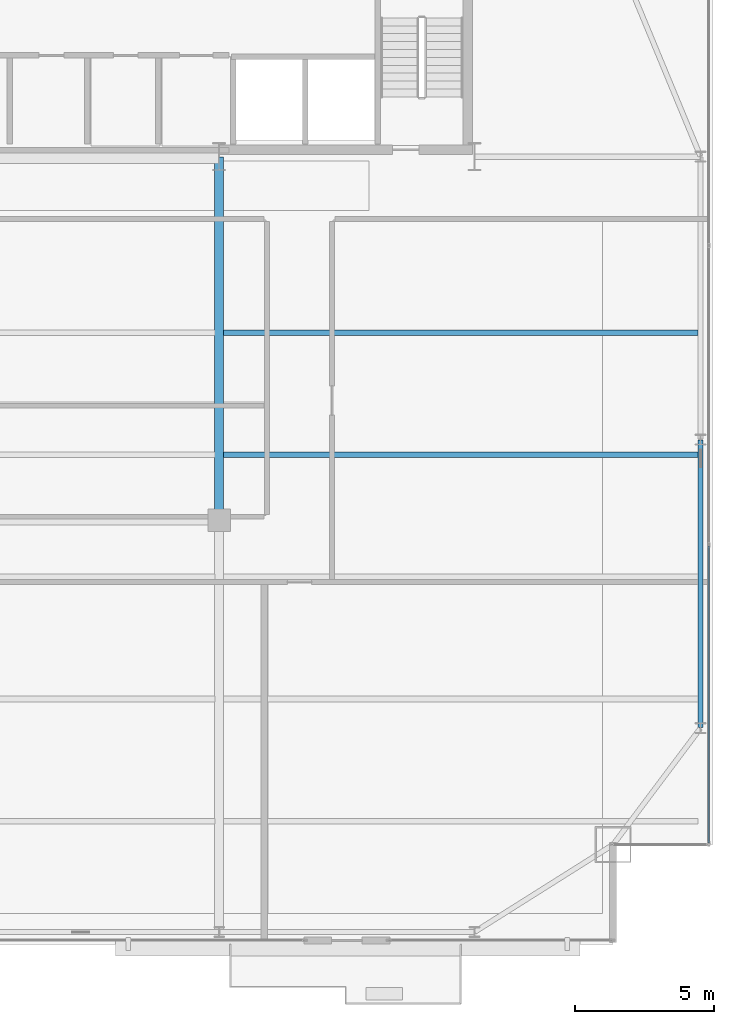
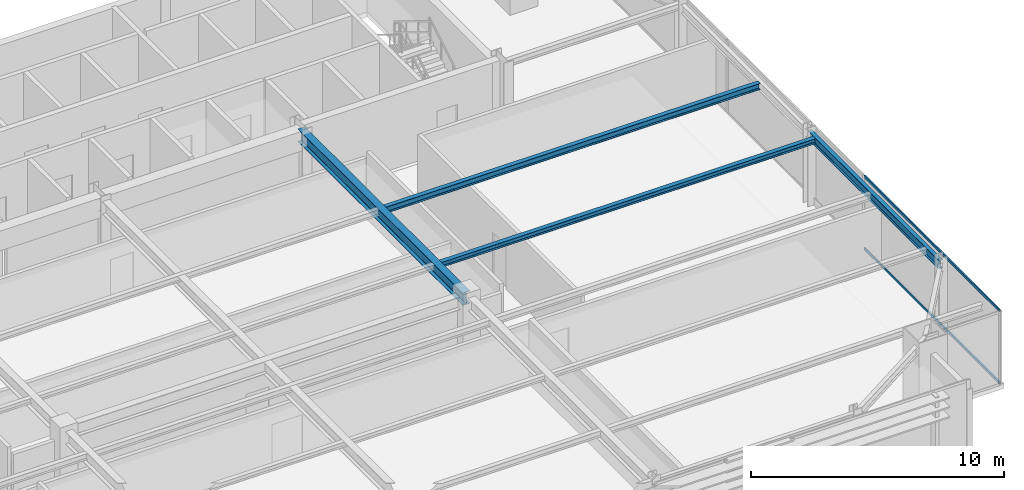
# One storey, part 17 of 31: 4 beams, 2 members, 1 element without a shape of its own.
"""IFC4 building model written with IfcOpenShell, lengths in metres."""

from ifc_helpers import new_model, si_unit, direction, frame, origin, origin_2d, place, context, subcontext, project, spatial, hollow_rectangle, i_section, extrude, source, transform, mapped, material, layer, layer_set, material_profile, profile_set, type_object, type_shapes, element, aggregate, save


model = new_model("IFC4")

# Units and contexts
model_context = context("Model", 3, precision=1e-05, world=origin(), true_north=direction((0.0, 1.0)))
body_context = subcontext(model_context, "Body", "Model", "MODEL_VIEW")
ifc_project = project(units=[si_unit("LENGTHUNIT", "METRE"), si_unit("AREAUNIT", "SQUARE_METRE"), si_unit("VOLUMEUNIT", "CUBIC_METRE"), si_unit("PLANEANGLEUNIT", "RADIAN"), si_unit("MASSUNIT", "GRAM", prefix="KILO")], contexts=[model_context])

# Site, building, storey
site_placement = place(None, origin())
site = spatial("IfcSite", under=ifc_project, at=site_placement, CompositionType="ELEMENT")
building_placement = place(site_placement, origin())
building = spatial("IfcBuilding", under=site, at=building_placement, Name="Varnel Quay Broadcast Tower", CompositionType="ELEMENT")
storey_placement = place(building_placement, frame((0.0, 0.0, 153.39990234375)))
storey = spatial("IfcBuildingStorey", under=building, at=storey_placement, Name="L37", CompositionType="ELEMENT", Elevation=153.39990234375)

# Beams
ifc_material_1 = material(Name="Structural Steel CSA G40.21 350W", Category="steel")
ifc_material_profile_1 = material_profile(ifc_material_1, i_section(OverallWidth=0.180908203125, OverallDepth=0.4169921875, WebThickness=0.010986328125, FlangeThickness=0.018310546875, FilletRadius=0.011962890625, at=origin_2d()), Name="W410X85")
ifc_profile_set_1 = profile_set([ifc_material_profile_1], Name="Structural Steel CSA G40.21 350W")
beam_type_1 = type_object("IfcBeamType", Name="Beam_W410X85", PredefinedType="SPANDREL", material=ifc_profile_set_1)
shared_shape_1 = source(origin(), body_context, "Body", "SweptSolid", [
    extrude(i_section(OverallWidth=0.180908203125, OverallDepth=0.4169921875, WebThickness=0.010986328125, FlangeThickness=0.018310546875, FilletRadius=0.011962890625, at=origin_2d()), origin(), (0.0, 0.0, 1.0), 10.35986328125),
])
type_shapes(beam_type_1, [shared_shape_1])
beam_1_placement = place(storey_placement, frame((60.550048828125, 15.02001953125, 3.341552734375), z_axis=(0.0, 1.0, 0.0), x_axis=(-1.0, 0.0, 0.0)))
element("IfcBeam", 1, at=beam_1_placement, inside=storey, type_object=beam_type_1, Name="L37 East Spandrel TC-E1-TC-E2", PredefinedType="SPANDREL", context=body_context, shape_type="MappedRepresentation", body=[
    mapped(shared_shape_1, transform((0.0, 0.0, 0.0), x_axis=(1.0, 0.0, 0.0), y_axis=(0.0, 1.0, 0.0), z_axis=(0.0, 0.0, 1.0), scale=1.0)),
])
ifc_material_profile_2 = material_profile(ifc_material_1, i_section(OverallWidth=0.324951171875, OverallDepth=0.615966796875, WebThickness=0.013916015625, FlangeThickness=0.021484375, FilletRadius=0.01611328125, at=origin_2d()), Name="W610X174")
ifc_profile_set_2 = profile_set([ifc_material_profile_2], Name="Structural Steel CSA G40.21 350W")
beam_type_2 = type_object("IfcBeamType", Name="Girder_W610X174", PredefinedType="BEAM", material=ifc_profile_set_2)
shared_shape_2 = source(origin(), body_context, "Body", "SweptSolid", [
    extrude(i_section(OverallWidth=0.324951171875, OverallDepth=0.615966796875, WebThickness=0.013916015625, FlangeThickness=0.021484375, FilletRadius=0.01611328125, at=origin_2d()), origin(), (0.0, 0.0, 1.0), 13.070068359375),
])
type_shapes(beam_type_2, [shared_shape_2])
beam_2_placement = place(storey_placement, frame((43.199951171875, 22.510009765625, 3.2421875), z_axis=(0.0, 1.0, 0.0), x_axis=(-1.0, 0.0, 0.0)))
element("IfcBeam", 2, at=beam_2_placement, inside=storey, type_object=beam_type_2, Name="L37 Primary Girder IC-02-CC-S4", PredefinedType="BEAM", context=body_context, shape_type="MappedRepresentation", body=[
    mapped(shared_shape_2, transform((0.0, 0.0, 0.0), x_axis=(1.0, 0.0, 0.0), y_axis=(0.0, 1.0, 0.0), z_axis=(0.0, 0.0, 1.0), scale=1.0)),
])
ifc_material_profile_3 = material_profile(ifc_material_1, i_section(OverallWidth=0.202880859375, OverallDepth=0.302978515625, WebThickness=0.007568359375, FlangeThickness=0.01318359375, FilletRadius=0.011962890625, at=origin_2d()), Name="W310X60")
ifc_profile_set_3 = profile_set([ifc_material_profile_3], Name="Structural Steel CSA G40.21 350W")
beam_type_3 = type_object("IfcBeamType", Name="Beam_W310X60", PredefinedType="JOIST", material=ifc_profile_set_3)
shared_shape_3 = source(origin(), body_context, "Body", "SweptSolid", [
    extrude(i_section(OverallWidth=0.202880859375, OverallDepth=0.302978515625, WebThickness=0.007568359375, FlangeThickness=0.01318359375, FilletRadius=0.011962890625, at=origin_2d()), origin(), (0.0, 0.0, 1.0), 17.107177734375),
])
type_shapes(beam_type_3, [shared_shape_3])
beam_3_placement = place(storey_placement, frame((43.357421875, 29.25, 3.398681640625), z_axis=(1.0, 0.0, 0.0), x_axis=(0.0, 1.0, 0.0)))
element("IfcBeam", 3, at=beam_3_placement, inside=storey, type_object=beam_type_3, Name="L37 East Floor Joist 5", PredefinedType="JOIST", context=body_context, shape_type="MappedRepresentation", body=[
    mapped(shared_shape_3, transform((0.0, 0.0, 0.0), x_axis=(1.0, 0.0, 0.0), y_axis=(0.0, 1.0, 0.0), z_axis=(0.0, 0.0, 1.0), scale=1.0)),
])
ifc_material_profile_4 = material_profile(ifc_material_1, i_section(OverallWidth=0.201904296875, OverallDepth=0.2470703125, WebThickness=0.00732421875, FlangeThickness=0.010986328125, FilletRadius=0.010986328125, at=origin_2d()), Name="W250X49")
ifc_profile_set_4 = profile_set([ifc_material_profile_4], Name="Structural Steel CSA G40.21 350W")
beam_type_4 = type_object("IfcBeamType", Name="Beam_W250X49", PredefinedType="JOIST", material=ifc_profile_set_4)
shared_shape_4 = source(origin(), body_context, "Body", "SweptSolid", [
    extrude(i_section(OverallWidth=0.201904296875, OverallDepth=0.2470703125, WebThickness=0.00732421875, FlangeThickness=0.010986328125, FilletRadius=0.010986328125, at=origin_2d()), origin(), (0.0, 0.0, 1.0), 17.107177734375),
])
type_shapes(beam_type_4, [shared_shape_4])
beam_4_placement = place(storey_placement, frame((43.357421875, 24.85009765625, 3.426513671875), z_axis=(1.0, 0.0, 0.0), x_axis=(0.0, 1.0, 0.0)))
element("IfcBeam", 4, at=beam_4_placement, inside=storey, type_object=beam_type_4, Name="L37 East Floor Joist 4", PredefinedType="JOIST", context=body_context, shape_type="MappedRepresentation", body=[
    mapped(shared_shape_4, transform((0.0, 0.0, 0.0), x_axis=(1.0, 0.0, 0.0), y_axis=(0.0, 1.0, 0.0), z_axis=(0.0, 0.0, 1.0), scale=1.0)),
])

# Curtain wall, members
ifc_material_2 = material(Name="Anodised Bronze Aluminium 6063-T6", Category="aluminium")
ifc_layer = layer(ifc_material_2, 0.18994140625, Name="Anodised Bronze Aluminium 6063-T6")
ifc_layer_set = layer_set([ifc_layer], Name="Anodised Bronze Aluminium 6063-T6")
curtain_wall_type = type_object("IfcCurtainWallType", Name="CW_UpperTower", PredefinedType="NOTDEFINED", material=ifc_layer_set)
curtain_wall_placement = place(storey_placement, origin())
curtain_wall = element("IfcCurtainWall", 5, at=curtain_wall_placement, inside=storey, type_object=curtain_wall_type, Name="L37 East Unitised Curtain Wall", PredefinedType="NOTDEFINED")
ifc_material_profile_5 = material_profile(ifc_material_2, hollow_rectangle(XDim=0.06005859375, YDim=0.125, WallThickness=0.0029296875, at=origin_2d()), Name="ALU60X125X3")
ifc_profile_set_5 = profile_set([ifc_material_profile_5], Name="Anodised Bronze Aluminium 6063-T6")
member_type = type_object("IfcMemberType", Name="Tran_CWS-03", PredefinedType="USERDEFINED", material=ifc_profile_set_5)
shared_shape_5 = source(origin(), body_context, "Body", "SweptSolid", [
    extrude(hollow_rectangle(XDim=0.06005859375, YDim=0.125, WallThickness=0.0029296875, at=origin_2d()), origin(), (0.0, 0.0, 1.0), 10.702392578125),
])
type_shapes(member_type, [shared_shape_5])
member_1_placement = place(storey_placement, frame((60.85009765625, 10.864990234375, 0.030029296875), z_axis=(0.0, 1.0, 0.0), x_axis=(-1.0, 0.0, 0.0)))
member_1 = element("IfcMember", 6, at=member_1_placement, type_object=member_type, Name="CWS-03 transom 1.1", ObjectType="TRANSOM", PredefinedType="USERDEFINED", context=body_context, shape_type="MappedRepresentation", body=[
    mapped(shared_shape_5, transform((0.0, 0.0, 0.0), x_axis=(1.0, 0.0, 0.0), y_axis=(0.0, 1.0, 0.0), z_axis=(0.0, 0.0, 1.0), scale=1.0)),
])
member_2_placement = place(storey_placement, frame((60.85009765625, 10.864990234375, 3.52001953125), z_axis=(0.0, 1.0, 0.0), x_axis=(-1.0, 0.0, 0.0)))
member_2 = element("IfcMember", 7, at=member_2_placement, type_object=member_type, Name="CWS-03 transom 1.2", ObjectType="TRANSOM", PredefinedType="USERDEFINED", context=body_context, shape_type="MappedRepresentation", body=[
    mapped(shared_shape_5, transform((0.0, 0.0, 0.0), x_axis=(1.0, 0.0, 0.0), y_axis=(0.0, 1.0, 0.0), z_axis=(0.0, 0.0, 1.0), scale=1.0)),
])
aggregate(curtain_wall, [member_1, member_2])

save(model, "model.ifc")
